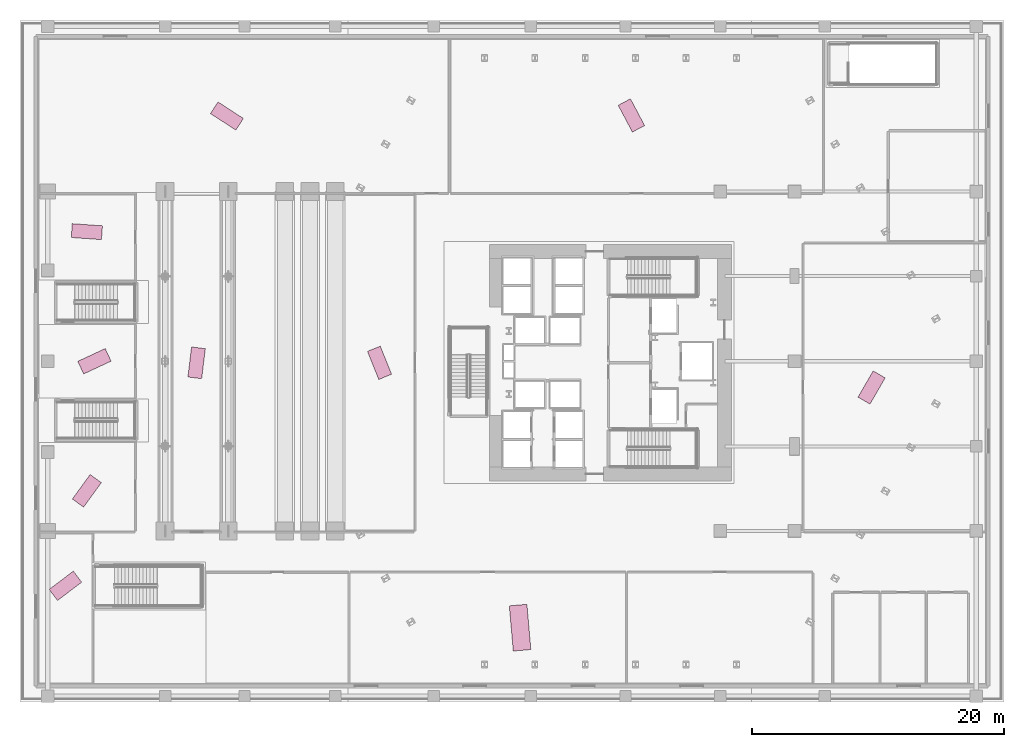
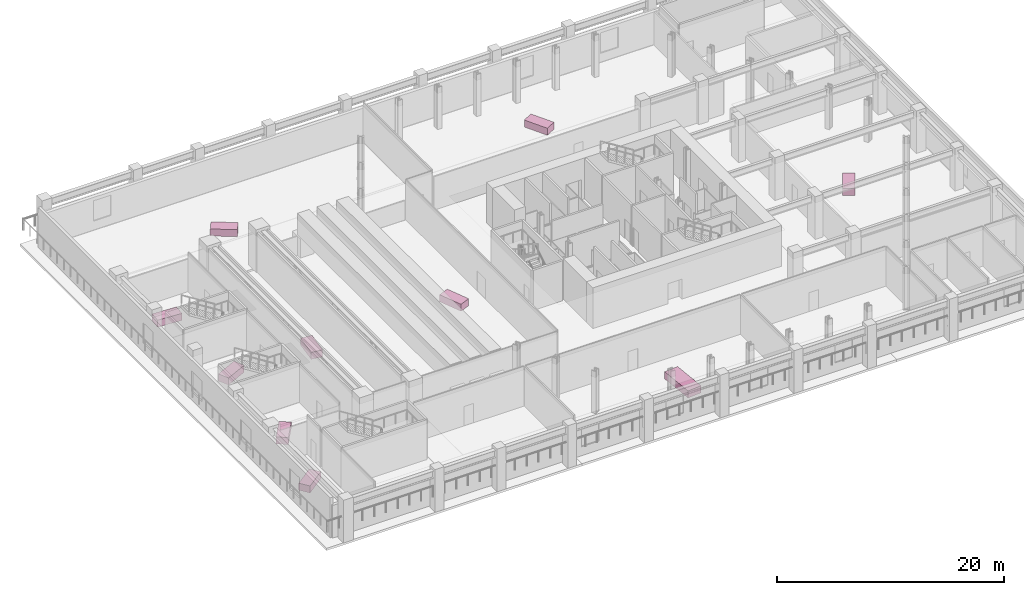
# One storey, part 24 of 24: 10 furniture elements.
"""IFC4 building model written with IfcOpenShell, lengths in metres."""

from ifc_helpers import new_model, si_unit, direction, frame, origin, origin_2d, place, context, subcontext, project, spatial, rectangle, extrude, material, type_object, element, save


model = new_model("IFC4")

# Units and contexts
model_context = context("Model", 3, precision=1e-05, world=origin(), true_north=direction((0.0, 1.0)))
body_context = subcontext(model_context, "Body", "Model", "MODEL_VIEW")
ifc_project = project(units=[si_unit("LENGTHUNIT", "METRE"), si_unit("AREAUNIT", "SQUARE_METRE"), si_unit("VOLUMEUNIT", "CUBIC_METRE"), si_unit("PLANEANGLEUNIT", "RADIAN"), si_unit("MASSUNIT", "GRAM", prefix="KILO")], contexts=[model_context])

# Site, building, storey
site_placement = place(None, origin())
site = spatial("IfcSite", under=ifc_project, at=site_placement, CompositionType="ELEMENT")
building_placement = place(site_placement, origin())
building = spatial("IfcBuilding", under=site, at=building_placement, Name="Valkerne Bourse Tower", CompositionType="ELEMENT")
storey_placement = place(building_placement, frame((0.0, 0.0, 19.39990234375)))
storey = spatial("IfcBuildingStorey", under=building, at=storey_placement, Name="L04", CompositionType="ELEMENT", Elevation=19.39990234375)

# Furniture
ifc_material = material(Name="Architectural White Oak Timber", Category="wood")
furniture_type_1 = type_object("IfcFurnitureType", Name="FURN-CONF-3600", AssemblyPlace="NOTDEFINED", PredefinedType="TABLE", material=ifc_material)
furniture_placement = place(storey_placement, frame((39.64111328125, 5.87890625, 0.044921875), z_axis=(0.0, 0.0, 1.0), x_axis=(-0.087155742748, 0.996194698092, 0.0)))
element("IfcFurniture", 1, at=furniture_placement, inside=storey, type_object=furniture_type_1, Name="L04 Suite Worktable 03", PredefinedType="TABLE", context=body_context, shape_type="SweptSolid", body=[
    extrude(rectangle(XDim=3.60009765625, YDim=1.39990234375, at=origin_2d()), origin(), (0.0, 0.0, 1.0), 0.760009765625),
])
furniture_type_2 = type_object("IfcFurnitureType", Name="FURN-DESK-2400", AssemblyPlace="NOTDEFINED", PredefinedType="DESK", material=ifc_material)
for number, where, z_axis, x_axis, name in (
    (2, (3.60205078125, 9.199951171875, 0.045166015625), (0.0, 0.0, 1.0), (0.798635510047, 0.601815023152, 0.0), "L04 Suite Worktable 01"),
    (3, (67.50390625, 24.91796875, 0.045166015625), (0.0, 0.0, 1.0), (0.5, 0.866025403784, 0.0), "L04 Suite Worktable 08"),
    (4, (48.466064453125, 46.485107421875, 0.045166015625), (0.0, 0.0, 1.0), (-0.469471562786, 0.882947592859, 0.0), "L04 Suite Worktable 10"),
    (5, (16.402099609375, 46.43798828125, 0.045166015625), (0.0, 0.0, 1.0), (-0.838670567945, 0.544639035015, 0.0), "L04 Suite Worktable 11"),
    (6, (5.300048828125, 37.27197265625, 0.045166015625), (0.0, 0.0, 1.0), (-0.99756405026, 0.069756473744, 0.0), "L04 Suite Worktable 12"),
    (7, (5.89990234375, 27.0, 0.045166015625), (0.0, 0.0, 1.0), (0.906307787037, 0.422618261741, 0.0), "L04 Suite Worktable 13"),
    (8, (5.300048828125, 16.72802734375, 0.045166015625), (0.0, 0.0, 1.0), (0.587785252292, 0.809016994375, 0.0), "L04 Suite Worktable 14"),
    (9, (14.0, 26.875, 0.045166015625), (0.0, 0.0, 1.0), (0.121869343405, 0.992546151641, 0.0), "L04 Suite Worktable 15"),
    (10, (28.4990234375, 26.875, 0.045166015625), (0.0, 0.0, 1.0), (-0.374606593416, 0.927183854567, 0.0), "L04 Suite Worktable 16"),
):
    element("IfcFurniture", number, at=place(storey_placement, frame(where, z_axis=z_axis, x_axis=x_axis)), inside=storey, type_object=furniture_type_2, Name=name, PredefinedType="DESK", context=body_context, shape_type="SweptSolid", body=[
        extrude(rectangle(XDim=2.39990234375, YDim=1.10009765625, at=origin_2d()), origin(), (0.0, 0.0, 1.0), 0.75),
    ])

save(model, "model.ifc")
